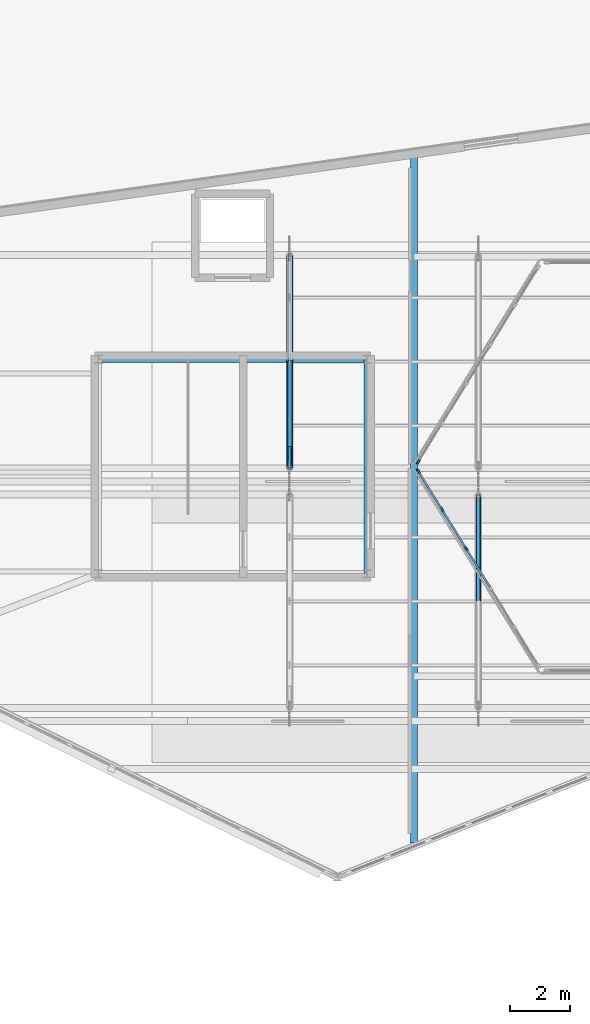
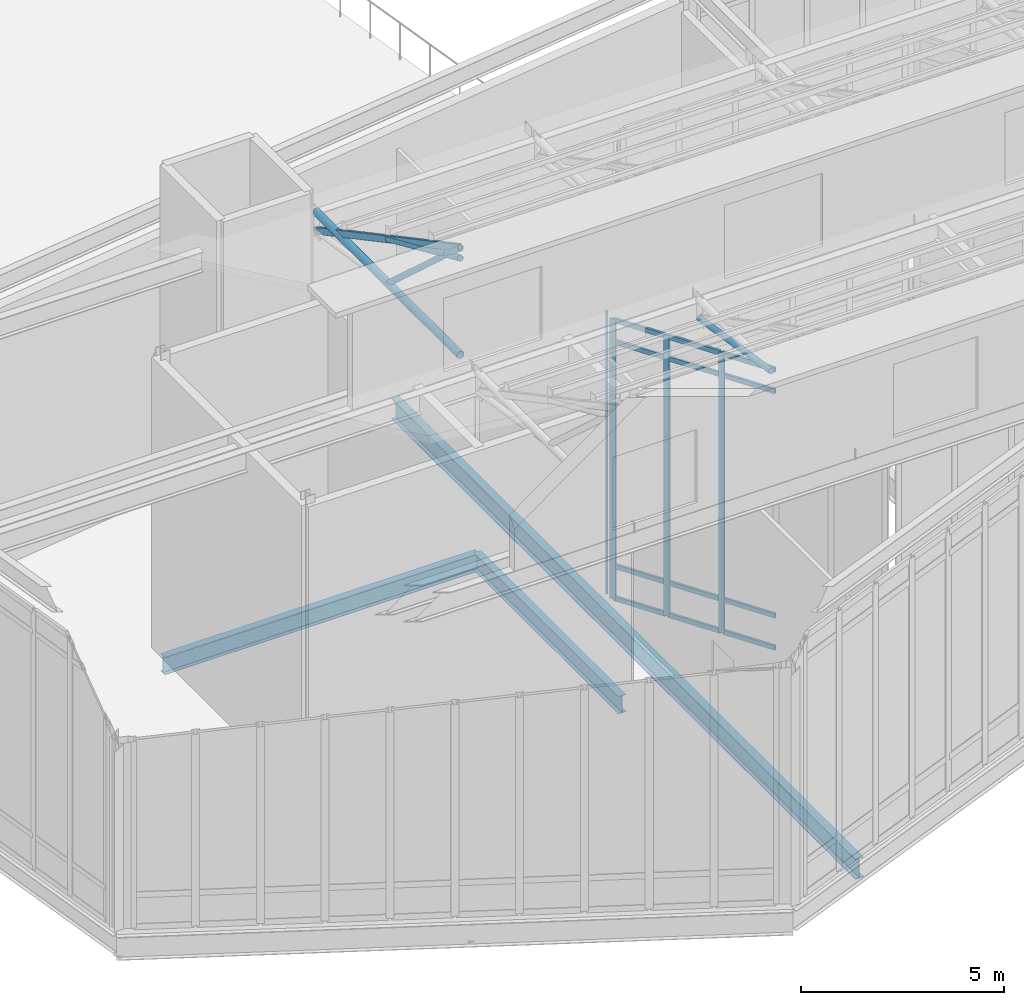
# One storey, part 20 of 66: 21 members, 3 beams, 2 elements without a shape of their own.
"""IFC4 building model written with IfcOpenShell, lengths in metres."""

from ifc_helpers import new_model, si_unit, direction, frame, origin, origin_2d, place, context, subcontext, project, spatial, rectangle, hollow_rectangle, hollow_circle, i_section, extrude, material, material_profile, profile_set, type_object, element, aggregate, save


model = new_model("IFC4")

# Units and contexts
model_context = context("Model", 3, precision=1e-05, world=origin(), true_north=direction((0.0, 1.0)))
body_context = subcontext(model_context, "Body", "Model", "MODEL_VIEW")
ifc_project = project(units=[si_unit("LENGTHUNIT", "METRE"), si_unit("AREAUNIT", "SQUARE_METRE"), si_unit("VOLUMEUNIT", "CUBIC_METRE"), si_unit("PLANEANGLEUNIT", "RADIAN"), si_unit("MASSUNIT", "GRAM", prefix="KILO")], contexts=[model_context])

# Site, building, storey
site_placement = place(None, origin())
site = spatial("IfcSite", under=ifc_project, at=site_placement, CompositionType="ELEMENT")
building_placement = place(site_placement, origin())
building = spatial("IfcBuilding", under=site, at=building_placement, Name="Tameran Prism Museum", CompositionType="ELEMENT")
storey_placement = place(building_placement, frame((0.0, 0.0, 19.800048828125)))
storey = spatial("IfcBuildingStorey", under=building, at=storey_placement, Name="L04", CompositionType="ELEMENT", Elevation=19.800048828125)

# Beams
ifc_material_1 = material(Name="Steel Grade 300PLUS (300 MPa)", Category="steel")
ifc_material_profile_1 = material_profile(ifc_material_1, i_section(OverallWidth=0.208984375, OverallDepth=0.528076171875, WebThickness=0.009521484375, FlangeThickness=0.01318359375, FilletRadius=0.013916015625, at=origin_2d()))
ifc_profile_set_1 = profile_set([ifc_material_profile_1])
beam_type_1 = type_object("IfcBeamType", Name="BM-SP530B", PredefinedType="SPANDREL", material=ifc_profile_set_1)
beam_1_placement = place(storey_placement, frame((66.97998046875, 32.919921875, -0.504150390625), z_axis=(0.0, 1.0, 0.0), x_axis=(-1.0, 0.0, 0.0)))
element("IfcBeam", 1, at=beam_1_placement, inside=storey, type_object=beam_type_1, Name="Core Ring Beam CTB-1190", PredefinedType="SPANDREL", context=body_context, shape_type="SweptSolid", body=[
    extrude(i_section(OverallWidth=0.208984375, OverallDepth=0.528076171875, WebThickness=0.009521484375, FlangeThickness=0.01318359375, FilletRadius=0.013916015625, at=origin_2d()), origin(), (0.0, 0.0, 1.0), 7.16015625),
])
beam_2_placement = place(storey_placement, frame((66.97998046875, 40.080078125, -0.504150390625), z_axis=(-1.0, 0.0, 0.0), x_axis=(0.0, -1.0, 0.0)))
element("IfcBeam", 2, at=beam_2_placement, inside=storey, type_object=beam_type_1, Name="Core Ring Beam CTB-1191", PredefinedType="SPANDREL", context=body_context, shape_type="SweptSolid", body=[
    extrude(i_section(OverallWidth=0.208984375, OverallDepth=0.528076171875, WebThickness=0.009521484375, FlangeThickness=0.01318359375, FilletRadius=0.013916015625, at=origin_2d()), origin(), (0.0, 0.0, 1.0), 8.9599609375),
])
ifc_material_2 = material(Name="Steel Grade 300PLUS (300 MPa)", Category="steel")
ifc_material_profile_2 = material_profile(ifc_material_2, i_section(OverallWidth=0.22900390625, OverallDepth=0.612060546875, WebThickness=0.011962890625, FlangeThickness=0.01953125, FilletRadius=0.013916015625, at=origin_2d()))
ifc_profile_set_2 = profile_set([ifc_material_profile_2])
beam_type_2 = type_object("IfcBeamType", Name="BM-UB610A", PredefinedType="BEAM", material=ifc_profile_set_2)
beam_3_placement = place(storey_placement, frame((68.550048828125, 23.93798828125, -0.546142578125), z_axis=(0.0, 1.0, 0.0), x_axis=(-1.0, 0.0, 0.0)))
element("IfcBeam", 3, at=beam_3_placement, inside=storey, type_object=beam_type_2, Name="Atrium Opening Trimmer Girder AT-1195", PredefinedType="BEAM", context=body_context, shape_type="SweptSolid", body=[
    extrude(i_section(OverallWidth=0.22900390625, OverallDepth=0.612060546875, WebThickness=0.011962890625, FlangeThickness=0.01953125, FilletRadius=0.013916015625, at=origin_2d()), origin(), (0.0, 0.0, 1.0), 22.886962890625),
])

# Curtain wall, members
ifc_material_3 = material(Name="Anodised Aluminium 6063-T6 and Cyclone Solar Glass", Category="aluminium")
curtain_wall_type = type_object("IfcCurtainWallType", Name="CW-ATR-769x844", PredefinedType="USERDEFINED", material=ifc_material_3)
curtain_wall_1_placement = place(storey_placement, origin())
curtain_wall_1 = element("IfcCurtainWall", 4, at=curtain_wall_1_placement, inside=storey, type_object=curtain_wall_type, Name="Unitised Curtain Wall CW-015", ObjectType="UNITISED CURTAIN WALL", PredefinedType="USERDEFINED")
ifc_material_4 = material(Name="Anodised Aluminium Alloy 6063-T6", Category="aluminium")
ifc_material_profile_3 = material_profile(ifc_material_4, rectangle(XDim=0.06494140625, YDim=0.159912109375, at=origin_2d()))
ifc_profile_set_3 = profile_set([ifc_material_profile_3])
member_type_1 = type_object("IfcMemberType", Name="CW-MUL-A", PredefinedType="MULLION", material=ifc_profile_set_3)
member_1_placement = place(storey_placement, frame((68.696044921875, 36.34423828125, 0.0), z_axis=(0.0, 0.0, 1.0), x_axis=(0.850791158897, 0.525503952357, 0.0)))
member_1 = element("IfcMember", 5, at=member_1_placement, type_object=member_type_1, Name="CW-015 mullion 1", PredefinedType="MULLION", context=body_context, shape_type="SweptSolid", body=[
    extrude(rectangle(XDim=0.06494140625, YDim=0.159912109375, at=origin_2d()), origin(), (0.0, 0.0, 1.0), 8.43994140625),
])
member_2_placement = place(storey_placement, frame((69.4873046875, 35.063232421875, 0.0), z_axis=(0.0, 0.0, 1.0), x_axis=(0.850791158897, 0.525503952357, 0.0)))
member_2 = element("IfcMember", 6, at=member_2_placement, type_object=member_type_1, Name="CW-015 mullion 2", PredefinedType="MULLION", context=body_context, shape_type="SweptSolid", body=[
    extrude(rectangle(XDim=0.06494140625, YDim=0.159912109375, at=origin_2d()), origin(), (0.0, 0.0, 1.0), 8.43994140625),
])
member_3_placement = place(storey_placement, frame((70.2958984375, 33.75439453125, 0.0), z_axis=(0.0, 0.0, 1.0), x_axis=(0.850791158897, 0.525503952357, 0.0)))
member_3 = element("IfcMember", 7, at=member_3_placement, type_object=member_type_1, Name="CW-015 mullion 3", PredefinedType="MULLION", context=body_context, shape_type="SweptSolid", body=[
    extrude(rectangle(XDim=0.06494140625, YDim=0.159912109375, at=origin_2d()), origin(), (0.0, 0.0, 1.0), 8.43994140625),
])

# Curtain wall, member
curtain_wall_2_placement = place(storey_placement, origin())
curtain_wall_2 = element("IfcCurtainWall", 8, at=curtain_wall_2_placement, inside=storey, type_object=curtain_wall_type, Name="Unitised Curtain Wall CW-020", ObjectType="UNITISED CURTAIN WALL", PredefinedType="USERDEFINED")
member_4_placement = place(storey_placement, frame((68.696044921875, 36.65576171875, 0.0), z_axis=(0.0, 0.0, 1.0), x_axis=(0.850791158897, -0.525503952357, 0.0)))
member_4 = element("IfcMember", 9, at=member_4_placement, type_object=member_type_1, Name="CW-020 mullion 6", PredefinedType="MULLION", context=body_context, shape_type="SweptSolid", body=[
    extrude(rectangle(XDim=0.06494140625, YDim=0.159912109375, at=origin_2d()), origin(), (0.0, 0.0, 1.0), 8.43994140625),
])
aggregate(curtain_wall_2, [member_4])

# Member
ifc_material_5 = material(Name="Anodised Aluminium Alloy 6063-T6", Category="aluminium")
ifc_material_profile_4 = material_profile(ifc_material_5, rectangle(XDim=0.06494140625, YDim=0.139892578125, at=origin_2d()))
ifc_profile_set_4 = profile_set([ifc_material_profile_4])
member_type_2 = type_object("IfcMemberType", Name="CW-TRN-A", PredefinedType="USERDEFINED", material=ifc_profile_set_4)
member_5_placement = place(storey_placement, frame((68.713134765625, 36.316650390625, 0.032470703125), z_axis=(0.525467627301, -0.850813594543, 0.0), x_axis=(0.850813594543, 0.525467627301, 0.0)))
member_5 = element("IfcMember", 10, at=member_5_placement, type_object=member_type_2, Name="CW-015 transom 1.1", ObjectType="TRANSOM", PredefinedType="USERDEFINED", context=body_context, shape_type="SweptSolid", body=[
    extrude(rectangle(XDim=0.06494140625, YDim=0.139892578125, at=origin_2d()), origin(), (0.0, 0.0, 1.0), 1.440673828125),
])

member_6_placement = place(storey_placement, frame((68.713134765625, 36.316650390625, 1.0), z_axis=(0.525467627301, -0.850813594543, 0.0), x_axis=(0.850813594543, 0.525467627301, 0.0)))
member_6 = element("IfcMember", 11, at=member_6_placement, type_object=member_type_2, Name="CW-015 transom 1.2", ObjectType="TRANSOM", PredefinedType="USERDEFINED", context=body_context, shape_type="SweptSolid", body=[
    extrude(rectangle(XDim=0.06494140625, YDim=0.139892578125, at=origin_2d()), origin(), (0.0, 0.0, 1.0), 1.440673828125),
])

member_7_placement = place(storey_placement, frame((68.713134765625, 36.316650390625, 7.760009765625), z_axis=(0.525467627301, -0.850813594543, 0.0), x_axis=(0.850813594543, 0.525467627301, 0.0)))
member_7 = element("IfcMember", 12, at=member_7_placement, type_object=member_type_2, Name="CW-015 transom 1.3", ObjectType="TRANSOM", PredefinedType="USERDEFINED", context=body_context, shape_type="SweptSolid", body=[
    extrude(rectangle(XDim=0.06494140625, YDim=0.139892578125, at=origin_2d()), origin(), (0.0, 0.0, 1.0), 1.440673828125),
])

member_8_placement = place(storey_placement, frame((68.713134765625, 36.316650390625, 8.407470703125), z_axis=(0.525467627301, -0.850813594543, 0.0), x_axis=(0.850813594543, 0.525467627301, 0.0)))
member_8 = element("IfcMember", 13, at=member_8_placement, type_object=member_type_2, Name="CW-015 transom 1.4", ObjectType="TRANSOM", PredefinedType="USERDEFINED", context=body_context, shape_type="SweptSolid", body=[
    extrude(rectangle(XDim=0.06494140625, YDim=0.139892578125, at=origin_2d()), origin(), (0.0, 0.0, 1.0), 1.440673828125),
])

member_9_placement = place(storey_placement, frame((69.50439453125, 35.03564453125, 0.032470703125), z_axis=(0.525538735192, -0.850769673774, 0.0), x_axis=(0.850769673774, 0.525538735192, 0.0)))
member_9 = element("IfcMember", 14, at=member_9_placement, type_object=member_type_2, Name="CW-015 transom 2.1", ObjectType="TRANSOM", PredefinedType="USERDEFINED", context=body_context, shape_type="SweptSolid", body=[
    extrude(rectangle(XDim=0.06494140625, YDim=0.139892578125, at=origin_2d()), origin(), (0.0, 0.0, 1.0), 1.4736328125),
])

member_10_placement = place(storey_placement, frame((69.50439453125, 35.03564453125, 1.0), z_axis=(0.525538735192, -0.850769673774, 0.0), x_axis=(0.850769673774, 0.525538735192, 0.0)))
member_10 = element("IfcMember", 15, at=member_10_placement, type_object=member_type_2, Name="CW-015 transom 2.2", ObjectType="TRANSOM", PredefinedType="USERDEFINED", context=body_context, shape_type="SweptSolid", body=[
    extrude(rectangle(XDim=0.06494140625, YDim=0.139892578125, at=origin_2d()), origin(), (0.0, 0.0, 1.0), 1.4736328125),
])

member_11_placement = place(storey_placement, frame((69.50439453125, 35.03564453125, 7.760009765625), z_axis=(0.525538735192, -0.850769673774, 0.0), x_axis=(0.850769673774, 0.525538735192, 0.0)))
member_11 = element("IfcMember", 16, at=member_11_placement, type_object=member_type_2, Name="CW-015 transom 2.3", ObjectType="TRANSOM", PredefinedType="USERDEFINED", context=body_context, shape_type="SweptSolid", body=[
    extrude(rectangle(XDim=0.06494140625, YDim=0.139892578125, at=origin_2d()), origin(), (0.0, 0.0, 1.0), 1.4736328125),
])

member_12_placement = place(storey_placement, frame((69.50439453125, 35.03564453125, 8.407470703125), z_axis=(0.525538735192, -0.850769673774, 0.0), x_axis=(0.850769673774, 0.525538735192, 0.0)))
member_12 = element("IfcMember", 17, at=member_12_placement, type_object=member_type_2, Name="CW-015 transom 2.4", ObjectType="TRANSOM", PredefinedType="USERDEFINED", context=body_context, shape_type="SweptSolid", body=[
    extrude(rectangle(XDim=0.06494140625, YDim=0.139892578125, at=origin_2d()), origin(), (0.0, 0.0, 1.0), 1.4736328125),
])

member_13_placement = place(storey_placement, frame((70.31298828125, 33.726806640625, 0.032470703125), z_axis=(0.525418798442, -0.850843749606, 0.0), x_axis=(0.850843749606, 0.525418798442, 0.0)))
member_13 = element("IfcMember", 18, at=member_13_placement, type_object=member_type_2, Name="CW-015 transom 3.1", ObjectType="TRANSOM", PredefinedType="USERDEFINED", context=body_context, shape_type="SweptSolid", body=[
    extrude(rectangle(XDim=0.06494140625, YDim=0.139892578125, at=origin_2d()), origin(), (0.0, 0.0, 1.0), 1.473388671875),
])

member_14_placement = place(storey_placement, frame((70.31298828125, 33.726806640625, 1.0), z_axis=(0.525418798442, -0.850843749606, 0.0), x_axis=(0.850843749606, 0.525418798442, 0.0)))
member_14 = element("IfcMember", 19, at=member_14_placement, type_object=member_type_2, Name="CW-015 transom 3.2", ObjectType="TRANSOM", PredefinedType="USERDEFINED", context=body_context, shape_type="SweptSolid", body=[
    extrude(rectangle(XDim=0.06494140625, YDim=0.139892578125, at=origin_2d()), origin(), (0.0, 0.0, 1.0), 1.473388671875),
])

member_15_placement = place(storey_placement, frame((70.31298828125, 33.726806640625, 7.760009765625), z_axis=(0.525418798442, -0.850843749606, 0.0), x_axis=(0.850843749606, 0.525418798442, 0.0)))
member_15 = element("IfcMember", 20, at=member_15_placement, type_object=member_type_2, Name="CW-015 transom 3.3", ObjectType="TRANSOM", PredefinedType="USERDEFINED", context=body_context, shape_type="SweptSolid", body=[
    extrude(rectangle(XDim=0.06494140625, YDim=0.139892578125, at=origin_2d()), origin(), (0.0, 0.0, 1.0), 1.473388671875),
])

member_16_placement = place(storey_placement, frame((70.31298828125, 33.726806640625, 8.407470703125), z_axis=(0.525418798442, -0.850843749606, 0.0), x_axis=(0.850843749606, 0.525418798442, 0.0)))
member_16 = element("IfcMember", 21, at=member_16_placement, type_object=member_type_2, Name="CW-015 transom 3.4", ObjectType="TRANSOM", PredefinedType="USERDEFINED", context=body_context, shape_type="SweptSolid", body=[
    extrude(rectangle(XDim=0.06494140625, YDim=0.139892578125, at=origin_2d()), origin(), (0.0, 0.0, 1.0), 1.473388671875),
])

aggregate(curtain_wall_1, [member_1, member_2, member_3, member_5, member_6, member_7, member_8, member_9, member_10, member_11, member_12, member_13, member_14, member_15, member_16])

# Members
ifc_material_6 = material(Name="Steel Grade C350L0 (350 MPa)", Category="steel")
ifc_material_profile_5 = material_profile(ifc_material_6, hollow_circle(Radius=0.084228515625, WallThickness=0.007080078125, at=origin_2d()))
ifc_profile_set_5 = profile_set([ifc_material_profile_5])
member_type_3 = type_object("IfcMemberType", Name="MM-BR-CHS168", PredefinedType="BRACE", material=ifc_profile_set_5)
member_17_placement = place(storey_placement, frame((70.699951171875, 32.0, 8.785888671875), z_axis=(0.0, 0.987767358806, -0.155934745575), x_axis=(-1.0, 0.0, 0.0)))
element("IfcMember", 22, at=member_17_placement, inside=storey, type_object=member_type_3, Name="Sawtooth Brace STM-0174", PredefinedType="BRACE", context=body_context, shape_type="SweptSolid", body=[
    extrude(hollow_circle(Radius=0.084228515625, WallThickness=0.007080078125, at=origin_2d()), origin(), (0.0, 0.0, 1.0), 3.604248046875),
])
member_18_placement = place(storey_placement, frame((64.39990234375, 40.0, 8.785888671875), z_axis=(0.0, -0.739772474497, 0.672857106656), x_axis=(1.0, 0.0, 0.0)))
element("IfcMember", 23, at=member_18_placement, inside=storey, type_object=member_type_3, Name="Sawtooth Brace STM-0194", PredefinedType="BRACE", context=body_context, shape_type="SweptSolid", body=[
    extrude(hollow_circle(Radius=0.084228515625, WallThickness=0.007080078125, at=origin_2d()), origin(), (0.0, 0.0, 1.0), 4.812255859375),
])
ifc_material_7 = material(Name="Steel Grade C350L0 (350 MPa)", Category="steel")
ifc_material_profile_6 = material_profile(ifc_material_7, hollow_circle(Radius=0.109619140625, WallThickness=0.00830078125, at=origin_2d()))
ifc_profile_set_6 = profile_set([ifc_material_profile_6])
member_type_4 = type_object("IfcMemberType", Name="MM-CH-CHS219", PredefinedType="CHORD", material=ifc_profile_set_6)
member_19_placement = place(storey_placement, frame((64.39990234375, 36.43994140625, 8.785888671875), z_axis=(0.0, 1.0, 0.0), x_axis=(-1.0, 0.0, 0.0)))
element("IfcMember", 24, at=member_19_placement, inside=storey, type_object=member_type_4, Name="Sawtooth Chord STM-0190", PredefinedType="CHORD", context=body_context, shape_type="SweptSolid", body=[
    extrude(hollow_circle(Radius=0.109619140625, WallThickness=0.00830078125, at=origin_2d()), origin(), (0.0, 0.0, 1.0), 7.1201171875),
])
ifc_material_8 = material(Name="Steel Grade C350L0 (350 MPa)", Category="steel")
ifc_material_profile_7 = material_profile(ifc_material_8, hollow_rectangle(XDim=0.10009765625, YDim=0.199951171875, WallThickness=0.008056640625, InnerFilletRadius=0.011962890625, OuterFilletRadius=0.02001953125, at=origin_2d()))
ifc_profile_set_7 = profile_set([ifc_material_profile_7])
member_type_5 = type_object("IfcMemberType", Name="MM-RF-RHS200", PredefinedType="RAFTER", material=ifc_profile_set_7)
member_20_placement = place(storey_placement, frame((64.39990234375, 36.43994140625, 12.02392578125), z_axis=(0.0, 0.882216411875, -0.47084413835), x_axis=(-1.0, 0.0, 0.0)))
element("IfcMember", 25, at=member_20_placement, inside=storey, type_object=member_type_5, Name="Sawtooth Rafter STM-0191", PredefinedType="RAFTER", context=body_context, shape_type="SweptSolid", body=[
    extrude(hollow_rectangle(XDim=0.10009765625, YDim=0.199951171875, WallThickness=0.008056640625, InnerFilletRadius=0.011962890625, OuterFilletRadius=0.02001953125, at=origin_2d()), origin(), (0.0, 0.0, 1.0), 8.07080078125),
])
ifc_material_9 = material(Name="Steel Grade C350L0 (350 MPa)", Category="steel")
ifc_material_profile_8 = material_profile(ifc_material_9, hollow_circle(Radius=0.084228515625, WallThickness=0.007080078125, at=origin_2d()))
ifc_profile_set_8 = profile_set([ifc_material_profile_8])
member_type_6 = type_object("IfcMemberType", Name="MM-ST-CHS168", PredefinedType="STRUT", material=ifc_profile_set_8)
member_21_placement = place(storey_placement, frame((64.39990234375, 36.43994140625, 11.703857421875), z_axis=(0.0, 0.914041454577, -0.405620782647), x_axis=(-1.0, 0.0, 0.0)))
element("IfcMember", 26, at=member_21_placement, inside=storey, type_object=member_type_6, Name="Sawtooth Strut STM-0196", PredefinedType="STRUT", context=body_context, shape_type="SweptSolid", body=[
    extrude(hollow_circle(Radius=0.084228515625, WallThickness=0.007080078125, at=origin_2d()), origin(), (0.0, 0.0, 1.0), 3.894775390625),
])

save(model, "model.ifc")
